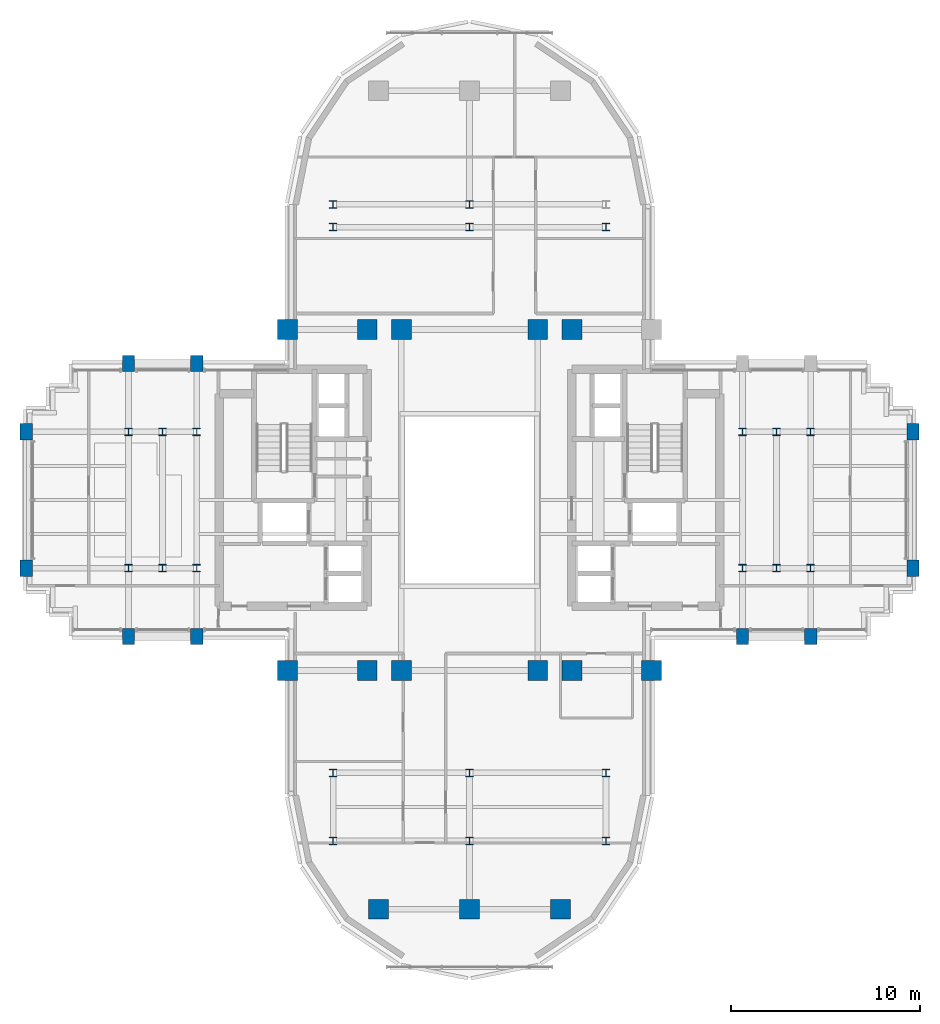
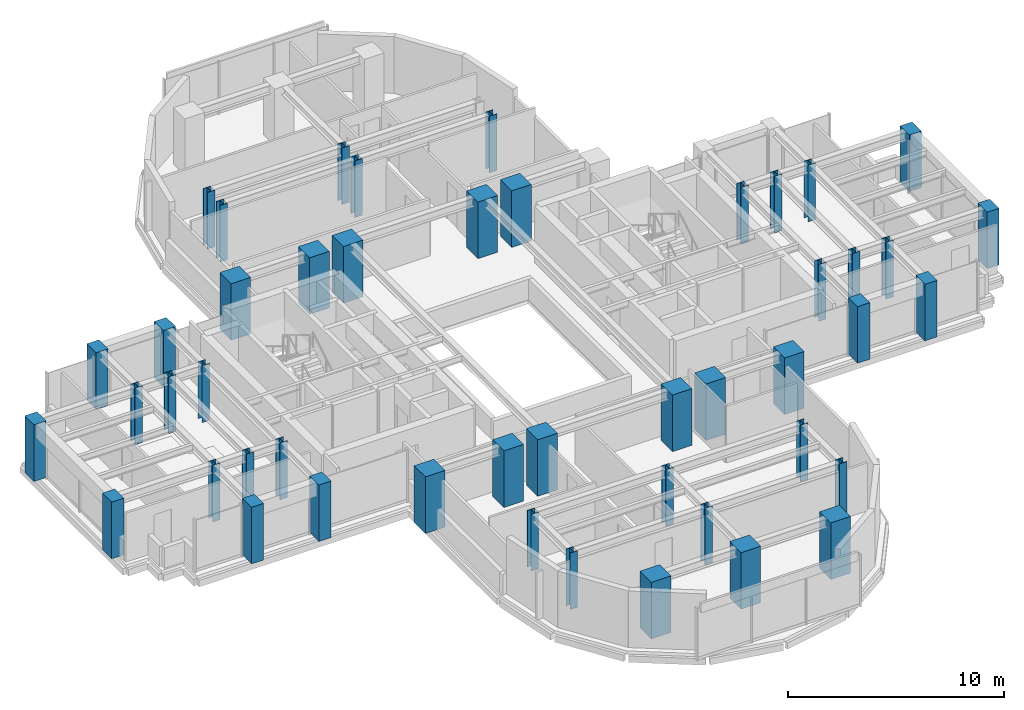
# One storey, part 1 of 14: 47 columns.
"""IFC4 building model written with IfcOpenShell, lengths in metres."""

import ifcopenshell
import ifcopenshell.guid

model = None  # the IFC model being written
_history = None  # IfcOwnerHistory: only IFC2X3 demands one
_inside = {}  # id of a spatial element -> (the spatial element, [elements in it])
_under = {}  # id of a project, library or spatial element -> (it, [spatial elements below it])
_declared = {}  # id of a project -> (the project, [libraries it declares])
_typed = {}  # id of a type object -> (the type object, [elements of that type])
_made_of = {}  # id of a material, layer set ... -> (it, [elements and type objects made of it])


def new_model(schema):
    """Start an empty IFC model of exactly this schema.

    Asked for "IFC4X3", IfcOpenShell would pick the latest addendum, in which some entities
    have other attributes; the version numbers below select the first issue.
    IFC2X3 requires an IfcOwnerHistory on every rooted entity: one is made here for all.
    """
    global model, _history
    if schema == "IFC4X3":
        model = ifcopenshell.file(schema_version=(4, 3, 0, 0))
    else:
        model = ifcopenshell.file(schema=schema)
    _inside.clear()
    _under.clear()
    _declared.clear()
    _typed.clear()
    _made_of.clear()
    _history = None
    if model.schema == "IFC2X3":
        org = make("IfcOrganization", Name="unknown")
        user = make(
            "IfcPersonAndOrganization",
            ThePerson=make("IfcPerson", FamilyName="unknown"),
            TheOrganization=org,
        )
        app = make(
            "IfcApplication",
            ApplicationDeveloper=org,
            Version="unknown",
            ApplicationFullName="unknown",
            ApplicationIdentifier="unknown",
        )
        _history = make(
            "IfcOwnerHistory",
            OwningUser=user,
            OwningApplication=app,
            ChangeAction="ADDED",
            CreationDate=0,
        )
    return model


def make(cls, **values):
    """One entity of the class cls with the attributes given. An attribute that is None is left unset."""
    return model.create_entity(
        cls, **{name: value for name, value in values.items() if value is not None}
    )


def rooted(cls, **values):
    """An entity with a GlobalId (a new one), such as an element, a storey or a relation."""
    return make(cls, GlobalId=ifcopenshell.guid.new(), OwnerHistory=_history, **values)


def si_unit(unit_type, name, prefix=None):
    """IfcSIUnit, for example si_unit("LENGTHUNIT", "METRE", prefix="MILLI")."""
    return make("IfcSIUnit", UnitType=unit_type, Prefix=prefix, Name=name)


def assignment(units):
    """IfcUnitAssignment: the units of a project."""
    return None if units is None else make("IfcUnitAssignment", Units=units)


def point(xyz):
    """IfcCartesianPoint."""
    return None if xyz is None else make("IfcCartesianPoint", Coordinates=xyz)


def direction(xyz):
    """IfcDirection."""
    return None if xyz is None else make("IfcDirection", DirectionRatios=xyz)


def frame(location, z_axis=None, x_axis=None):
    """IfcAxis2Placement3D, a coordinate frame: its origin and axes. An axis left out is left unset."""
    return make(
        "IfcAxis2Placement3D",
        Location=point(location),
        Axis=direction(z_axis),
        RefDirection=direction(x_axis),
    )


def frame_2d(location, x_axis=None):
    """IfcAxis2Placement2D, a coordinate frame in the plane: its origin and x axis."""
    return make(
        "IfcAxis2Placement2D", Location=point(location), RefDirection=direction(x_axis)
    )


def origin():
    """The frame at (0, 0, 0) with its axes left unset."""
    return frame((0.0, 0.0, 0.0))


def origin_2d():
    """The frame at (0, 0) in the plane with its x axis left unset."""
    return frame_2d((0.0, 0.0))


def place(relative_to, where):
    """IfcLocalPlacement: puts the frame where relative to a parent placement (None: the world)."""
    return make(
        "IfcLocalPlacement", PlacementRelTo=relative_to, RelativePlacement=where
    )


def context(
    kind, dimensions, precision=None, world=None, true_north=None, identifier=None
):
    """IfcGeometricRepresentationContext, for example the 3D "Model" context."""
    return make(
        "IfcGeometricRepresentationContext",
        ContextIdentifier=identifier,
        ContextType=kind,
        CoordinateSpaceDimension=dimensions,
        Precision=precision,
        WorldCoordinateSystem=world,
        TrueNorth=true_north,
    )


def subcontext(parent, identifier, kind, view, scale=None):
    """IfcGeometricRepresentationSubContext, for example "Body" below "Model"."""
    return make(
        "IfcGeometricRepresentationSubContext",
        ContextIdentifier=identifier,
        ContextType=kind,
        ParentContext=parent,
        TargetScale=scale,
        TargetView=view,
    )


def project(units=None, contexts=None):
    """IfcProject with its units and contexts."""
    return rooted(
        "IfcProject",
        Name="project",
        RepresentationContexts=contexts,
        UnitsInContext=assignment(units),
    )


def spatial(cls, under=None, at=None, **own):
    """A site, building, storey or space (cls), placed at a placement, below another one or the project."""
    s = rooted(cls, ObjectPlacement=at, **own)
    if under is not None:
        _under.setdefault(under.id(), (under, []))[1].append(s)
    return s


def profile(cls, at=None, kind="AREA", **sizes):
    """A parametric profile (cls). Its sizes go by their IFC names, for example OverallWidth=200.0."""
    return make(cls, ProfileType=kind, Position=at, **sizes)


def rectangle(**sizes):
    """IfcRectangleProfileDef."""
    return profile("IfcRectangleProfileDef", **sizes)


def i_section(**sizes):
    """IfcIShapeProfileDef."""
    return profile("IfcIShapeProfileDef", **sizes)


def extrude(swept, where, along, depth):
    """IfcExtrudedAreaSolid: the profile swept, set in the frame where, extruded along a direction by depth."""
    return make(
        "IfcExtrudedAreaSolid",
        SweptArea=swept,
        Position=where,
        ExtrudedDirection=direction(along),
        Depth=depth,
    )


def shape(context_of_items, identifier, shape_type, items):
    """IfcShapeRepresentation: the items that make up one representation, for example the "Body"."""
    return make(
        "IfcShapeRepresentation",
        ContextOfItems=context_of_items,
        RepresentationIdentifier=identifier,
        RepresentationType=shape_type,
        Items=items,
    )


def source(mapping_origin, context_of_items, identifier, shape_type, items):
    """IfcRepresentationMap: a shape defined once, which mapped items show again and again."""
    return make(
        "IfcRepresentationMap",
        MappingOrigin=mapping_origin,
        MappedRepresentation=shape(context_of_items, identifier, shape_type, items),
    )


def transform(
    local_origin,
    x_axis=None,
    y_axis=None,
    z_axis=None,
    scale=None,
    scale2=None,
    scale3=None,
    uniform=True,
):
    """IfcCartesianTransformationOperator3D, or its non-uniform kind. x_axis, y_axis, z_axis: its Axis1, 2, 3."""
    if uniform:
        return make(
            "IfcCartesianTransformationOperator3D",
            Axis1=direction(x_axis),
            Axis2=direction(y_axis),
            LocalOrigin=point(local_origin),
            Scale=scale,
            Axis3=direction(z_axis),
        )
    return make(
        "IfcCartesianTransformationOperator3DnonUniform",
        Axis1=direction(x_axis),
        Axis2=direction(y_axis),
        LocalOrigin=point(local_origin),
        Scale=scale,
        Axis3=direction(z_axis),
        Scale2=scale2,
        Scale3=scale3,
    )


def mapped(mapping_source, mapping_target):
    """IfcMappedItem: shows the shape of a source again, moved by a transform."""
    return make(
        "IfcMappedItem", MappingSource=mapping_source, MappingTarget=mapping_target
    )


def material(Name=None, Category=None):
    """IfcMaterial."""
    return make("IfcMaterial", Name=Name, Category=Category)


def material_profile(
    of_material, cross_section, Name=None, Category=None, Priority=None
):
    """IfcMaterialProfile: a cross section and its material."""
    return make(
        "IfcMaterialProfile",
        Name=Name,
        Material=of_material,
        Profile=cross_section,
        Priority=Priority,
        Category=Category,
    )


def profile_set(profiles, Name=None, composite=None):
    """IfcMaterialProfileSet."""
    return make(
        "IfcMaterialProfileSet",
        Name=Name,
        MaterialProfiles=profiles,
        CompositeProfile=composite,
    )


def made_of(thing, what):
    """Note that an element or type object is made of a material, layer set ...; save() writes the relation."""
    if what is not None:
        _made_of.setdefault(what.id(), (what, []))[1].append(thing)
    return thing


def type_object(cls, material=None, **own):
    """A type object (cls), such as IfcWallType, which elements share."""
    return made_of(rooted(cls, **own), material)


def element(
    cls,
    number,
    at=None,
    inside=None,
    cuts=None,
    type_object=None,
    material=None,
    context=None,
    identifier="Body",
    shape_type=None,
    held_by="IfcProductDefinitionShape",
    body=None,
    shapes=None,
    **own,
):
    """One element of the class cls, such as IfcWall. Its Tag is "e" and its number.

    at: its placement. inside: the storey or other place that contains it. cuts: it is an
    opening in that element (IfcRelVoidsElement). A single representation is given by context,
    identifier, shape_type and body (its items); several are given by shapes. held_by: the class
    of the entity that holds the representations. save() writes the other relations.
    """
    e = rooted(cls, Tag="e%d" % number, ObjectPlacement=at, **own)
    if body is not None:
        shapes = [shape(context, identifier, shape_type, body)]
    if shapes is not None:
        e.Representation = make(held_by, Representations=shapes)
    if inside is not None:
        _inside.setdefault(inside.id(), (inside, []))[1].append(e)
    if cuts is not None:
        rooted(
            "IfcRelVoidsElement", RelatingBuildingElement=cuts, RelatedOpeningElement=e
        )
    if type_object is not None:
        _typed.setdefault(type_object.id(), (type_object, []))[1].append(e)
    return made_of(e, material)


def aggregate(whole, parts):
    """IfcRelAggregates: a whole, such as a stair, and the parts it consists of."""
    return rooted("IfcRelAggregates", RelatingObject=whole, RelatedObjects=parts)


def save(model, path):
    """Write the relations noted so far, then the file.

    IfcRelAggregates (storeys below a building ...), IfcRelContainedInSpatialStructure (elements
    in a storey), IfcRelDefinesByType, IfcRelAssociatesMaterial and IfcRelDeclares: one each for
    every whole, place, type object, material and project.
    """
    for whole, parts in _under.values():
        aggregate(whole, parts)
    for where, things in _inside.values():
        rooted(
            "IfcRelContainedInSpatialStructure",
            RelatedElements=things,
            RelatingStructure=where,
        )
    for kind, things in _typed.values():
        rooted("IfcRelDefinesByType", RelatedObjects=things, RelatingType=kind)
    for what, things in _made_of.values():
        rooted("IfcRelAssociatesMaterial", RelatedObjects=things, RelatingMaterial=what)
    for by, libraries in _declared.values():
        rooted("IfcRelDeclares", RelatingContext=by, RelatedDefinitions=libraries)
    model.write(path)


model = new_model("IFC4")

# Units and contexts
model_context = context("Model", 3, precision=1e-05, world=origin(), true_north=direction((0.0, 1.0)))
body_context = subcontext(model_context, "Body", "Model", "MODEL_VIEW")
ifc_project = project(units=[si_unit("LENGTHUNIT", "METRE"), si_unit("AREAUNIT", "SQUARE_METRE"), si_unit("VOLUMEUNIT", "CUBIC_METRE"), si_unit("PLANEANGLEUNIT", "RADIAN"), si_unit("MASSUNIT", "GRAM", prefix="KILO")], contexts=[model_context])

# Site, building, storey
site_placement = place(None, origin())
site = spatial("IfcSite", under=ifc_project, at=site_placement, CompositionType="ELEMENT")
building_placement = place(site_placement, origin())
building = spatial("IfcBuilding", under=site, at=building_placement, Name="Keilestroom Media Tower", CompositionType="ELEMENT")
storey_placement = place(building_placement, frame((0.0, 0.0, 110.800048828125)))
storey = spatial("IfcBuildingStorey", under=building, at=storey_placement, Name="L29", CompositionType="ELEMENT", Elevation=110.800048828125)

# Columns
ifc_material_1 = material(Name="Precast concrete C40/50", Category="concrete")
ifc_material_profile_1 = material_profile(ifc_material_1, rectangle(XDim=0.64990234375, YDim=0.85009765625, at=origin_2d()), Name="PC 850x650")
ifc_profile_set_1 = profile_set([ifc_material_profile_1], Name="Precast concrete C40/50")
column_type_1 = type_object("IfcColumnType", Name="Structural-Column-PC-850x650", PredefinedType="COLUMN", material=ifc_profile_set_1)
shared_shape_1 = source(origin(), body_context, "Body", "SweptSolid", [
    extrude(rectangle(XDim=0.64990234375, YDim=0.85009765625, at=origin_2d()), origin(), (0.0, 0.0, 1.0), 3.199951171875),
])
for number, where, z_axis, x_axis, name in (
    (1, (-23.39990234375, -3.60009765625, 0.0), (0.0, 0.0, 1.0), (1.0, 0.0, 0.0), "L29 Column PC-2 (-23.4,-3.6)"),
    (2, (-23.39990234375, 3.60009765625, 0.0), (0.0, 0.0, 1.0), (1.0, 0.0, 0.0), "L29 Column PC-2 (-23.4,+3.6)"),
    (3, (-18.0, -7.199951171875, 0.0), (0.0, 0.0, 1.0), (1.0, 0.0, 0.0), "L29 Column PC-2 (-18.0,-7.2)"),
    (4, (-18.0, 7.199951171875, 0.0), (0.0, 0.0, 1.0), (1.0, 0.0, 0.0), "L29 Column PC-2 (-18.0,+7.2)"),
    (5, (-14.39990234375, -7.199951171875, 0.0), (0.0, 0.0, 1.0), (1.0, 0.0, 0.0), "L29 Column PC-2 (-14.4,-7.2)"),
    (6, (-14.39990234375, 7.199951171875, 0.0), (0.0, 0.0, 1.0), (1.0, 0.0, 0.0), "L29 Column PC-2 (-14.4,+7.2)"),
    (7, (14.39990234375, -7.199951171875, 0.0), (0.0, 0.0, 1.0), (1.0, 0.0, 0.0), "L29 Column PC-2 (+14.4,-7.2)"),
    (8, (18.0, -7.199951171875, 0.0), (0.0, 0.0, 1.0), (1.0, 0.0, 0.0), "L29 Column PC-2 (+18.0,-7.2)"),
    (9, (23.39990234375, -3.60009765625, 0.0), (0.0, 0.0, 1.0), (1.0, 0.0, 0.0), "L29 Column PC-2 (+23.4,-3.6)"),
    (10, (23.39990234375, 3.60009765625, 0.0), (0.0, 0.0, 1.0), (1.0, 0.0, 0.0), "L29 Column PC-2 (+23.4,+3.6)"),
):
    element("IfcColumn", number, at=place(storey_placement, frame(where, z_axis=z_axis, x_axis=x_axis)), inside=storey, type_object=column_type_1, Name=name, PredefinedType="COLUMN", context=body_context, shape_type="MappedRepresentation", body=[
        mapped(shared_shape_1, transform((0.0, 0.0, 0.0), x_axis=(1.0, 0.0, 0.0), y_axis=(0.0, 1.0, 0.0), z_axis=(0.0, 0.0, 1.0), scale=1.0)),
    ])
ifc_material_2 = material(Name="Steel S355", Category="steel")
ifc_material_profile_2 = material_profile(ifc_material_2, i_section(OverallWidth=0.40087890625, OverallDepth=0.39892578125, WebThickness=0.02001953125, FlangeThickness=0.031982421875, at=origin_2d()), Name="HD 400x314")
ifc_profile_set_2 = profile_set([ifc_material_profile_2], Name="Steel S355")
column_type_2 = type_object("IfcColumnType", Name="Structural-Column-HD-400x314", PredefinedType="COLUMN", material=ifc_profile_set_2)
shared_shape_2 = source(origin(), body_context, "Body", "SweptSolid", [
    extrude(i_section(OverallWidth=0.40087890625, OverallDepth=0.39892578125, WebThickness=0.02001953125, FlangeThickness=0.031982421875, at=origin_2d()), origin(), (0.0, 0.0, 1.0), 3.199951171875),
])
for number, where, z_axis, x_axis, name in (
    (11, (-18.0, -3.60009765625, 0.0), (0.0, 0.0, 1.0), (1.0, 0.0, 0.0), "L29 Column SC-3 (-18.0,-3.6)"),
    (12, (-18.0, 3.60009765625, 0.0), (0.0, 0.0, 1.0), (1.0, 0.0, 0.0), "L29 Column SC-3 (-18.0,+3.6)"),
    (13, (-16.199951171875, -3.60009765625, 0.0), (0.0, 0.0, 1.0), (1.0, 0.0, 0.0), "L29 Column SC-3 (-16.2,-3.6)"),
    (14, (-16.199951171875, 3.60009765625, 0.0), (0.0, 0.0, 1.0), (1.0, 0.0, 0.0), "L29 Column SC-3 (-16.2,+3.6)"),
    (15, (-14.39990234375, -3.60009765625, 0.0), (0.0, 0.0, 1.0), (1.0, 0.0, 0.0), "L29 Column SC-3 (-14.4,-3.6)"),
    (16, (-14.39990234375, 3.60009765625, 0.0), (0.0, 0.0, 1.0), (1.0, 0.0, 0.0), "L29 Column SC-3 (-14.4,+3.6)"),
    (17, (-7.199951171875, -18.0, 0.0), (0.0, 0.0, 1.0), (1.0, 0.0, 0.0), "L29 Column SC-3 (-7.2,-18.0)"),
    (18, (-7.199951171875, -14.39990234375, 0.0), (0.0, 0.0, 1.0), (1.0, 0.0, 0.0), "L29 Column SC-3 (-7.2,-14.4)"),
    (19, (-7.199951171875, 14.39990234375, 0.0), (0.0, 0.0, 1.0), (1.0, 0.0, 0.0), "L29 Column SC-3 (-7.2,+14.4)"),
    (20, (-7.199951171875, 15.60009765625, 0.0), (0.0, 0.0, 1.0), (1.0, 0.0, 0.0), "L29 Column SC-3 (-7.2,+15.6)"),
    (21, (0.0, -18.0, 0.0), (0.0, 0.0, 1.0), (1.0, 0.0, 0.0), "L29 Column SC-3 (+0.0,-18.0)"),
    (22, (0.0, -14.39990234375, 0.0), (0.0, 0.0, 1.0), (1.0, 0.0, 0.0), "L29 Column SC-3 (+0.0,-14.4)"),
    (23, (0.0, 14.39990234375, 0.0), (0.0, 0.0, 1.0), (1.0, 0.0, 0.0), "L29 Column SC-3 (+0.0,+14.4)"),
    (24, (0.0, 15.60009765625, 0.0), (0.0, 0.0, 1.0), (1.0, 0.0, 0.0), "L29 Column SC-3 (+0.0,+15.6)"),
    (25, (7.199951171875, -18.0, 0.0), (0.0, 0.0, 1.0), (1.0, 0.0, 0.0), "L29 Column SC-3 (+7.2,-18.0)"),
    (26, (7.199951171875, -14.39990234375, 0.0), (0.0, 0.0, 1.0), (1.0, 0.0, 0.0), "L29 Column SC-3 (+7.2,-14.4)"),
    (27, (7.199951171875, 14.39990234375, 0.0), (0.0, 0.0, 1.0), (1.0, 0.0, 0.0), "L29 Column SC-3 (+7.2,+14.4)"),
    (28, (14.39990234375, -3.60009765625, 0.0), (0.0, 0.0, 1.0), (1.0, 0.0, 0.0), "L29 Column SC-3 (+14.4,-3.6)"),
    (29, (14.39990234375, 3.60009765625, 0.0), (0.0, 0.0, 1.0), (1.0, 0.0, 0.0), "L29 Column SC-3 (+14.4,+3.6)"),
    (30, (16.199951171875, -3.60009765625, 0.0), (0.0, 0.0, 1.0), (1.0, 0.0, 0.0), "L29 Column SC-3 (+16.2,-3.6)"),
    (31, (16.199951171875, 3.60009765625, 0.0), (0.0, 0.0, 1.0), (1.0, 0.0, 0.0), "L29 Column SC-3 (+16.2,+3.6)"),
    (32, (18.0, -3.60009765625, 0.0), (0.0, 0.0, 1.0), (1.0, 0.0, 0.0), "L29 Column SC-3 (+18.0,-3.6)"),
    (33, (18.0, 3.60009765625, 0.0), (0.0, 0.0, 1.0), (1.0, 0.0, 0.0), "L29 Column SC-3 (+18.0,+3.6)"),
):
    element("IfcColumn", number, at=place(storey_placement, frame(where, z_axis=z_axis, x_axis=x_axis)), inside=storey, type_object=column_type_2, Name=name, PredefinedType="COLUMN", context=body_context, shape_type="MappedRepresentation", body=[
        mapped(shared_shape_2, transform((0.0, 0.0, 0.0), x_axis=(1.0, 0.0, 0.0), y_axis=(0.0, 1.0, 0.0), z_axis=(0.0, 0.0, 1.0), scale=1.0)),
    ])
ifc_material_3 = material(Name="Concrete C55/67", Category="concrete")
ifc_material_profile_3 = material_profile(ifc_material_3, rectangle(XDim=1.050048828125, YDim=1.050048828125, at=origin_2d()), Name="RC 1050x1050")
ifc_profile_set_3 = profile_set([ifc_material_profile_3], Name="Concrete C55/67")
column_type_3 = type_object("IfcColumnType", Name="Structural-Column-RC-1050x1050", PredefinedType="COLUMN", material=ifc_profile_set_3)
shared_shape_3 = source(origin(), body_context, "Body", "SweptSolid", [
    extrude(rectangle(XDim=1.050048828125, YDim=1.050048828125, at=origin_2d()), origin(), (0.0, 0.0, 1.0), 3.199951171875),
])
for number, where, z_axis, x_axis, name in (
    (34, (-9.60009765625, -9.0, 0.0), (0.0, 0.0, 1.0), (1.0, 0.0, 0.0), "L29 Column MC-3 (-9.6,-9.0)"),
    (35, (-9.60009765625, 9.0, 0.0), (0.0, 0.0, 1.0), (1.0, 0.0, 0.0), "L29 Column MC-3 (-9.6,+9.0)"),
    (36, (-5.39990234375, -9.0, 0.0), (0.0, 0.0, 1.0), (1.0, 0.0, 0.0), "L29 Column MC-3 (-5.4,-9.0)"),
    (37, (-5.39990234375, 9.0, 0.0), (0.0, 0.0, 1.0), (1.0, 0.0, 0.0), "L29 Column MC-3 (-5.4,+9.0)"),
    (38, (-4.800048828125, -21.60009765625, 0.0), (0.0, 0.0, 1.0), (1.0, 0.0, 0.0), "L29 Column MC-3 (-4.8,-21.6)"),
    (39, (-3.60009765625, -9.0, 0.0), (0.0, 0.0, 1.0), (1.0, 0.0, 0.0), "L29 Column MC-3 (-3.6,-9.0)"),
    (40, (-3.60009765625, 9.0, 0.0), (0.0, 0.0, 1.0), (1.0, 0.0, 0.0), "L29 Column MC-3 (-3.6,+9.0)"),
    (41, (0.0, -21.60009765625, 0.0), (0.0, 0.0, 1.0), (1.0, 0.0, 0.0), "L29 Column MC-3 (+0.0,-21.6)"),
    (42, (3.60009765625, -9.0, 0.0), (0.0, 0.0, 1.0), (1.0, 0.0, 0.0), "L29 Column MC-3 (+3.6,-9.0)"),
    (43, (3.60009765625, 9.0, 0.0), (0.0, 0.0, 1.0), (1.0, 0.0, 0.0), "L29 Column MC-3 (+3.6,+9.0)"),
    (44, (4.800048828125, -21.60009765625, 0.0), (0.0, 0.0, 1.0), (1.0, 0.0, 0.0), "L29 Column MC-3 (+4.8,-21.6)"),
    (45, (5.39990234375, -9.0, 0.0), (0.0, 0.0, 1.0), (1.0, 0.0, 0.0), "L29 Column MC-3 (+5.4,-9.0)"),
    (46, (5.39990234375, 9.0, 0.0), (0.0, 0.0, 1.0), (1.0, 0.0, 0.0), "L29 Column MC-3 (+5.4,+9.0)"),
    (47, (9.60009765625, -9.0, 0.0), (0.0, 0.0, 1.0), (1.0, 0.0, 0.0), "L29 Column MC-3 (+9.6,-9.0)"),
):
    element("IfcColumn", number, at=place(storey_placement, frame(where, z_axis=z_axis, x_axis=x_axis)), inside=storey, type_object=column_type_3, Name=name, PredefinedType="COLUMN", context=body_context, shape_type="MappedRepresentation", body=[
        mapped(shared_shape_3, transform((0.0, 0.0, 0.0), x_axis=(1.0, 0.0, 0.0), y_axis=(0.0, 1.0, 0.0), z_axis=(0.0, 0.0, 1.0), scale=1.0)),
    ])

save(model, "model.ifc")
